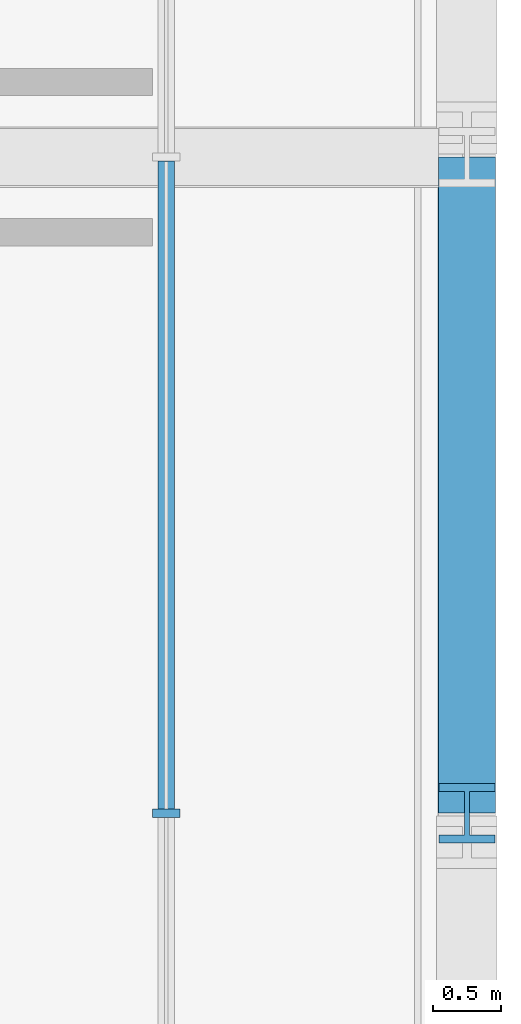
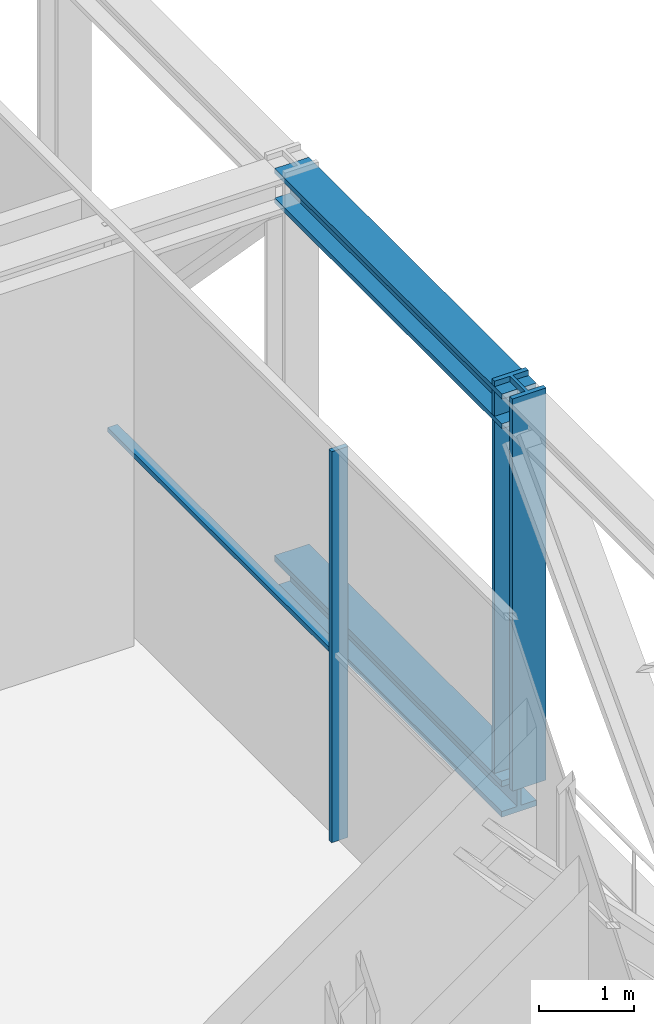
# One storey, part 11 of 30: 5 members, 1 element without a shape of its own.
"""IFC4 building model written with IfcOpenShell, lengths in metres."""

from ifc_helpers import new_model, si_unit, direction, frame, origin, origin_2d, place, context, subcontext, project, spatial, rectangle, i_section, extrude, material, layer, layer_set, material_profile, profile_set, type_object, element, aggregate, save


model = new_model("IFC4")

# Units and contexts
model_context = context("Model", 3, precision=1e-05, world=origin(), true_north=direction((0.0, 1.0)))
body_context = subcontext(model_context, "Body", "Model", "MODEL_VIEW")
ifc_project = project(units=[si_unit("LENGTHUNIT", "METRE"), si_unit("AREAUNIT", "SQUARE_METRE"), si_unit("VOLUMEUNIT", "CUBIC_METRE"), si_unit("PLANEANGLEUNIT", "RADIAN"), si_unit("MASSUNIT", "GRAM", prefix="KILO")], contexts=[model_context])

# Site, building, storey
site_placement = place(None, origin())
site = spatial("IfcSite", under=ifc_project, at=site_placement, CompositionType="ELEMENT")
building_placement = place(site_placement, origin())
building = spatial("IfcBuilding", under=site, at=building_placement, Name="Madar Terraces", CompositionType="ELEMENT")
storey_placement = place(building_placement, frame((0.0, 0.0, 173.5)))
storey = spatial("IfcBuildingStorey", under=building, at=storey_placement, Name="L45", CompositionType="ELEMENT", Elevation=173.5)

# Member
ifc_material_1 = material(Name="Steel ASTM A913 Grade 65", Category="steel")
ifc_material_profile_1 = material_profile(ifc_material_1, i_section(OverallWidth=0.421630859375, OverallDepth=0.46484375, WebThickness=0.044921875, FlangeThickness=0.072509765625, at=origin_2d()), Name="W14x398")
ifc_profile_set_1 = profile_set([ifc_material_profile_1], Name="Steel ASTM A913 Grade 65")
member_type_1 = type_object("IfcMemberType", Name="BC6 W14x398", PredefinedType="CHORD", material=ifc_profile_set_1)
member_1_placement = place(storey_placement, frame((62.39990234375, 28.800048828125, -0.1875), z_axis=(0.0, 1.0, 0.0), x_axis=(-1.0, 0.0, 0.0)))
element("IfcMember", 1, at=member_1_placement, inside=storey, type_object=member_type_1, Name="Exoskeleton truss ring bottom chord BC6", PredefinedType="CHORD", context=body_context, shape_type="SweptSolid", body=[
    extrude(i_section(OverallWidth=0.421630859375, OverallDepth=0.46484375, WebThickness=0.044921875, FlangeThickness=0.072509765625, at=origin_2d()), origin(), (0.0, 0.0, 1.0), 4.800048828125),
])

# Curtain wall, members
ifc_material_2 = material(Name="Glass, ceramic frit dark grey, with black aluminium frame", Category="aluminium")
ifc_layer = layer(ifc_material_2, 0.199951171875)
ifc_layer_set = layer_set([ifc_layer], Name="Facade curtain wall, tall glazing")
curtain_wall_type = type_object("IfcCurtainWallType", Name="Facade curtain wall, tall glazing", PredefinedType="NOTDEFINED", material=ifc_layer_set)
curtain_wall_placement = place(storey_placement, origin())
curtain_wall = element("IfcCurtainWall", 2, at=curtain_wall_placement, inside=storey, type_object=curtain_wall_type, Name="Outer skin curtain wall east bay 1", PredefinedType="NOTDEFINED")
ifc_material_3 = material(Name="Aluminium, black anodised", Category="aluminium")
ifc_material_profile_2 = material_profile(ifc_material_3, rectangle(XDim=0.199951171875, YDim=0.06005859375, at=origin_2d()), Name="Facade mullion 60x200")
ifc_profile_set_2 = profile_set([ifc_material_profile_2], Name="Aluminium, black anodised")
member_type_2 = type_object("IfcMemberType", Name="Facade mullion 60x200", PredefinedType="MULLION", material=ifc_profile_set_2)
member_2_placement = place(storey_placement, frame((60.199951171875, 28.800048828125, 0.0), z_axis=(0.0, 0.0, 1.0), x_axis=(-1.0, 0.0, 0.0)))
member_2 = element("IfcMember", 3, at=member_2_placement, type_object=member_type_2, Name="Mullion 5", PredefinedType="MULLION", context=body_context, shape_type="SweptSolid", body=[
    extrude(rectangle(XDim=0.199951171875, YDim=0.06005859375, at=origin_2d()), origin(), (0.0, 0.0, 1.0), 5.0400390625),
])
ifc_material_4 = material(Name="Aluminium, black anodised", Category="aluminium")
ifc_material_profile_3 = material_profile(ifc_material_4, rectangle(XDim=0.1201171875, YDim=0.06005859375, at=origin_2d()), Name="Facade transom 60x120")
ifc_profile_set_3 = profile_set([ifc_material_profile_3], Name="Aluminium, black anodised")
member_type_3 = type_object("IfcMemberType", Name="Facade transom 60x120", PredefinedType="USERDEFINED", material=ifc_profile_set_3)
member_3_placement = place(storey_placement, frame((60.199951171875, 28.830078125, 2.39990234375), z_axis=(0.0, 1.0, 0.0), x_axis=(-1.0, 0.0, 0.0)))
member_3 = element("IfcMember", 4, at=member_3_placement, type_object=member_type_3, Name="Transom 7", ObjectType="TRANSOM", PredefinedType="USERDEFINED", context=body_context, shape_type="SweptSolid", body=[
    extrude(rectangle(XDim=0.1201171875, YDim=0.06005859375, at=origin_2d()), origin(), (0.0, 0.0, 1.0), 4.739990234375),
])
aggregate(curtain_wall, [member_2, member_3])

# Members
ifc_material_5 = material(Name="Steel ASTM A913 Grade 65", Category="steel")
ifc_material_profile_4 = material_profile(ifc_material_5, i_section(OverallWidth=0.41650390625, OverallDepth=0.444580078125, WebThickness=0.0390625, FlangeThickness=0.062744140625, at=origin_2d()), Name="W14x342")
ifc_profile_set_4 = profile_set([ifc_material_profile_4], Name="Steel ASTM A913 Grade 65")
member_type_4 = type_object("IfcMemberType", Name="TC6 W14x342", PredefinedType="CHORD", material=ifc_profile_set_4)
member_4_placement = place(storey_placement, frame((62.39990234375, 28.800048828125, 4.807861328125), z_axis=(0.0, 1.0, 0.0), x_axis=(-1.0, 0.0, 0.0)))
element("IfcMember", 5, at=member_4_placement, inside=storey, type_object=member_type_4, Name="Exoskeleton truss ring top chord TC6", PredefinedType="CHORD", context=body_context, shape_type="SweptSolid", body=[
    extrude(i_section(OverallWidth=0.41650390625, OverallDepth=0.444580078125, WebThickness=0.0390625, FlangeThickness=0.062744140625, at=origin_2d()), origin(), (0.0, 0.0, 1.0), 4.800048828125),
])
ifc_material_6 = material(Name="Steel ASTM A913 Grade 65", Category="steel")
ifc_material_profile_5 = material_profile(ifc_material_6, i_section(OverallWidth=0.411376953125, OverallDepth=0.434326171875, WebThickness=0.035888671875, FlangeThickness=0.057373046875, at=origin_2d()), Name="W14x311")
ifc_profile_set_5 = profile_set([ifc_material_profile_5], Name="Steel ASTM A913 Grade 65")
member_type_5 = type_object("IfcMemberType", Name="TV6 W14x311", PredefinedType="POST", material=ifc_profile_set_5)
member_5_placement = place(storey_placement, frame((62.39990234375, 28.800048828125, 0.044921875), z_axis=(0.0, 0.0, 1.0), x_axis=(-1.0, 0.0, 0.0)))
element("IfcMember", 6, at=member_5_placement, inside=storey, type_object=member_type_5, Name="Exoskeleton truss ring post TV6", PredefinedType="POST", context=body_context, shape_type="SweptSolid", body=[
    extrude(i_section(OverallWidth=0.411376953125, OverallDepth=0.434326171875, WebThickness=0.035888671875, FlangeThickness=0.057373046875, at=origin_2d()), origin(), (0.0, 0.0, 1.0), 5.05517578125),
])

save(model, "model.ifc")
